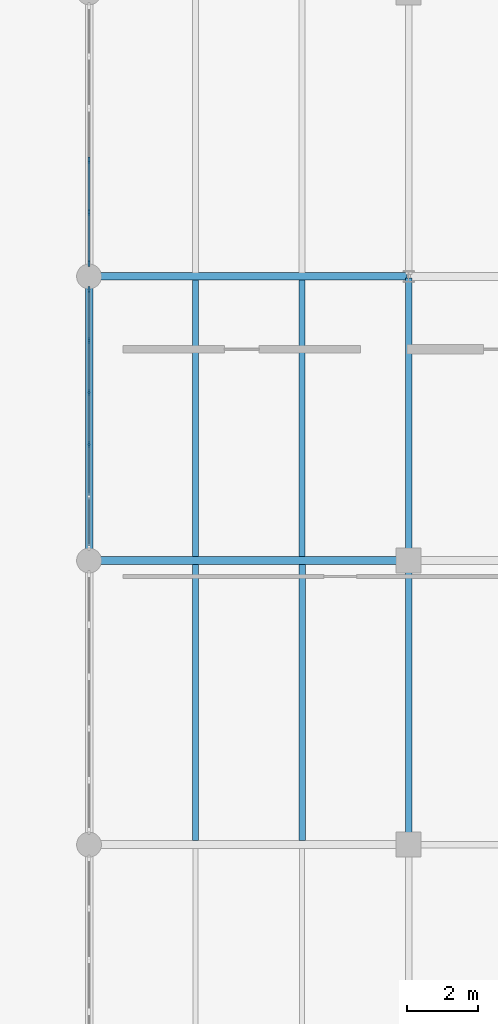
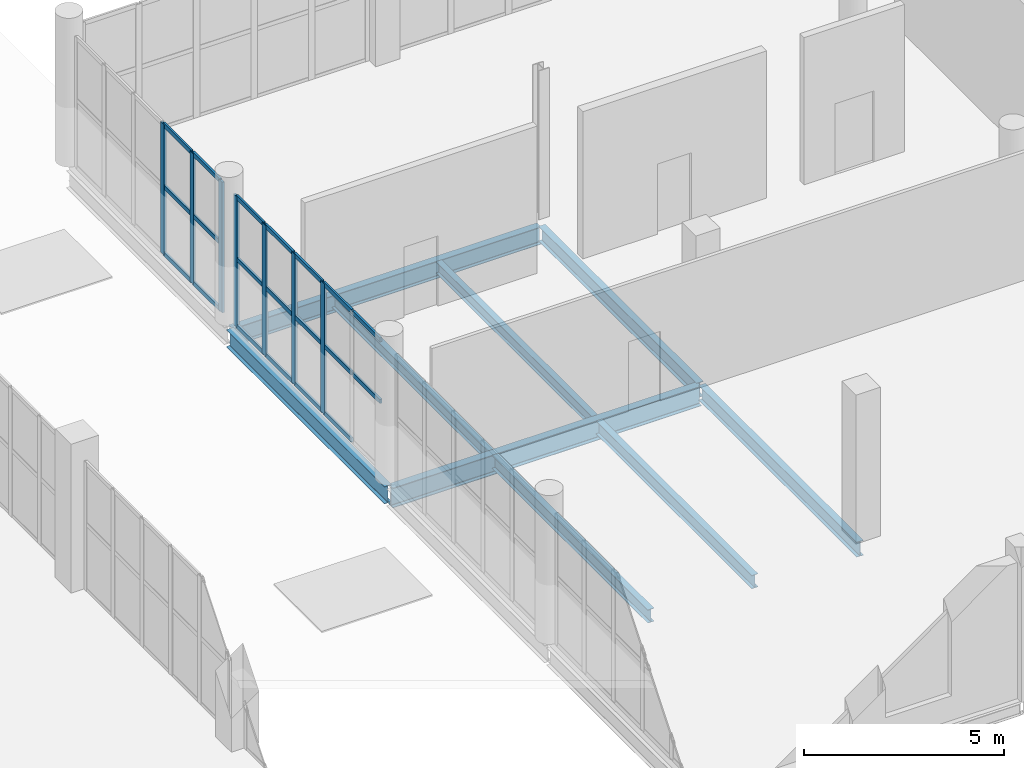
# One storey, part 33 of 93: 27 members, 9 beams, 2 elements without a shape of their own.
"""IFC4 building model written with IfcOpenShell, lengths in metres."""

from ifc_helpers import new_model, si_unit, direction, frame, origin, origin_2d, place, context, subcontext, project, spatial, rectangle, i_section, extrude, material, layer, layer_set, material_profile, profile_set, type_object, element, aggregate, save


model = new_model("IFC4")

# Units and contexts
model_context = context("Model", 3, precision=1e-05, world=origin(), true_north=direction((0.0, 1.0)))
body_context = subcontext(model_context, "Body", "Model", "MODEL_VIEW")
ifc_project = project(units=[si_unit("LENGTHUNIT", "METRE"), si_unit("AREAUNIT", "SQUARE_METRE"), si_unit("VOLUMEUNIT", "CUBIC_METRE"), si_unit("PLANEANGLEUNIT", "RADIAN"), si_unit("MASSUNIT", "GRAM", prefix="KILO")], contexts=[model_context])

# Site, building, storey
site_placement = place(None, origin())
site = spatial("IfcSite", under=ifc_project, at=site_placement, CompositionType="ELEMENT")
building_placement = place(site_placement, origin())
building = spatial("IfcBuilding", under=site, at=building_placement, Name="Marnock Terrace Opera House", CompositionType="ELEMENT")
storey_placement = place(building_placement, frame((0.0, 0.0, 5.39990234375)))
storey = spatial("IfcBuildingStorey", under=building, at=storey_placement, Name="L01", CompositionType="ELEMENT", Elevation=5.39990234375)

# Beams
ifc_material_1 = material(Name="Steel Grade 350 (AS/NZS 3679.1)", Category="steel")
ifc_material_profile_1 = material_profile(ifc_material_1, i_section(OverallWidth=0.18994140625, OverallDepth=0.45751953125, WebThickness=0.009033203125, FlangeThickness=0.014404296875, FilletRadius=0.011474609375, at=origin_2d()))
ifc_profile_set_1 = profile_set([ifc_material_profile_1], Name="Steel Grade 350 (AS/NZS 3679.1)")
beam_type_1 = type_object("IfcBeamType", Name="BM-GIRD-460B", PredefinedType="BEAM", material=ifc_profile_set_1)
for number, where, z_axis, x_axis, name in (
    (1, (127.0, 16.050048828125, -0.508544921875), (0.0, 1.0, 0.0), (-1.0, 0.0, 0.0), "L01 girder (X=127.0, 16.0..24.0)"),
    (2, (127.0, 24.050048828125, -0.508544921875), (0.0, 1.0, 0.0), (-1.0, 0.0, 0.0), "L01 girder (X=127.0, 24.0..32.0)"),
):
    element("IfcBeam", number, at=place(storey_placement, frame(where, z_axis=z_axis, x_axis=x_axis)), inside=storey, type_object=beam_type_1, Name=name, PredefinedType="BEAM", context=body_context, shape_type="SweptSolid", body=[
        extrude(i_section(OverallWidth=0.18994140625, OverallDepth=0.45751953125, WebThickness=0.009033203125, FlangeThickness=0.014404296875, FilletRadius=0.011474609375, at=origin_2d()), origin(), (0.0, 0.0, 1.0), 7.89990234375),
    ])
ifc_material_profile_2 = material_profile(ifc_material_1, i_section(OverallWidth=0.208984375, OverallDepth=0.532958984375, WebThickness=0.01025390625, FlangeThickness=0.015625, FilletRadius=0.013916015625, at=origin_2d()))
ifc_profile_set_2 = profile_set([ifc_material_profile_2], Name="Steel Grade 350 (AS/NZS 3679.1)")
beam_type_2 = type_object("IfcBeamType", Name="BM-GIRD-530A", PredefinedType="BEAM", material=ifc_profile_set_2)
beam_1_placement = place(storey_placement, frame((118.050048828125, 32.0, -0.54638671875), z_axis=(1.0, 0.0, 0.0), x_axis=(0.0, 1.0, 0.0)))
element("IfcBeam", 3, at=beam_1_placement, inside=storey, type_object=beam_type_2, Name="L01 girder (118.0..127.0, Y=32.0)", PredefinedType="BEAM", context=body_context, shape_type="SweptSolid", body=[
    extrude(i_section(OverallWidth=0.208984375, OverallDepth=0.532958984375, WebThickness=0.01025390625, FlangeThickness=0.015625, FilletRadius=0.013916015625, at=origin_2d()), origin(), (0.0, 0.0, 1.0), 8.89990234375),
])
ifc_material_profile_3 = material_profile(ifc_material_1, i_section(OverallWidth=0.208984375, OverallDepth=0.528076171875, WebThickness=0.009521484375, FlangeThickness=0.01318359375, FilletRadius=0.013916015625, at=origin_2d()))
ifc_profile_set_3 = profile_set([ifc_material_profile_3], Name="Steel Grade 350 (AS/NZS 3679.1)")
beam_type_3 = type_object("IfcBeamType", Name="BM-GIRD-530B", PredefinedType="BEAM", material=ifc_profile_set_3)
beam_2_placement = place(storey_placement, frame((118.0, 24.050048828125, -0.5439453125), z_axis=(0.0, 1.0, 0.0), x_axis=(-1.0, 0.0, 0.0)))
element("IfcBeam", 4, at=beam_2_placement, inside=storey, type_object=beam_type_3, Name="L01 girder (X=118.0, 24.0..32.0)", PredefinedType="BEAM", context=body_context, shape_type="SweptSolid", body=[
    extrude(i_section(OverallWidth=0.208984375, OverallDepth=0.528076171875, WebThickness=0.009521484375, FlangeThickness=0.01318359375, FilletRadius=0.013916015625, at=origin_2d()), origin(), (0.0, 0.0, 1.0), 7.89990234375),
])
ifc_material_profile_4 = material_profile(ifc_material_1, i_section(OverallWidth=0.22802734375, OverallDepth=0.60693359375, WebThickness=0.01123046875, FlangeThickness=0.017333984375, FilletRadius=0.013916015625, at=origin_2d()))
ifc_profile_set_4 = profile_set([ifc_material_profile_4], Name="Steel Grade 350 (AS/NZS 3679.1)")
beam_type_4 = type_object("IfcBeamType", Name="BM-GIRD-610B", PredefinedType="BEAM", material=ifc_profile_set_4)
beam_3_placement = place(storey_placement, frame((118.050048828125, 24.0, -0.58349609375), z_axis=(1.0, 0.0, 0.0), x_axis=(0.0, 1.0, 0.0)))
element("IfcBeam", 5, at=beam_3_placement, inside=storey, type_object=beam_type_4, Name="L01 girder (118.0..127.0, Y=24.0)", PredefinedType="BEAM", context=body_context, shape_type="SweptSolid", body=[
    extrude(i_section(OverallWidth=0.22802734375, OverallDepth=0.60693359375, WebThickness=0.01123046875, FlangeThickness=0.017333984375, FilletRadius=0.013916015625, at=origin_2d()), origin(), (0.0, 0.0, 1.0), 8.89990234375),
])
ifc_material_profile_5 = material_profile(ifc_material_1, i_section(OverallWidth=0.172119140625, OverallDepth=0.358642578125, WebThickness=0.008056640625, FlangeThickness=0.012939453125, FilletRadius=0.011474609375, at=origin_2d()))
ifc_profile_set_5 = profile_set([ifc_material_profile_5], Name="Steel Grade 350 (AS/NZS 3679.1)")
beam_type_5 = type_object("IfcBeamType", Name="BM-JOIST-360", PredefinedType="JOIST", material=ifc_profile_set_5)
for number, where, z_axis, x_axis, name in (
    (6, (121.0, 24.10888671875, -0.459228515625), (0.0, 1.0, 0.0), (-1.0, 0.0, 0.0), "L01 secondary joist 13.3.1"),
    (7, (124.0, 24.10888671875, -0.459228515625), (0.0, 1.0, 0.0), (-1.0, 0.0, 0.0), "L01 secondary joist 13.3.2"),
):
    element("IfcBeam", number, at=place(storey_placement, frame(where, z_axis=z_axis, x_axis=x_axis)), inside=storey, type_object=beam_type_5, Name=name, PredefinedType="JOIST", context=body_context, shape_type="SweptSolid", body=[
        extrude(i_section(OverallWidth=0.172119140625, OverallDepth=0.358642578125, WebThickness=0.008056640625, FlangeThickness=0.012939453125, FilletRadius=0.011474609375, at=origin_2d()), origin(), (0.0, 0.0, 1.0), 7.79150390625),
    ])
ifc_material_profile_6 = material_profile(ifc_material_1, i_section(OverallWidth=0.177978515625, OverallDepth=0.406494140625, WebThickness=0.0078125, FlangeThickness=0.0126953125, FilletRadius=0.011474609375, at=origin_2d()))
ifc_profile_set_6 = profile_set([ifc_material_profile_6], Name="Steel Grade 350 (AS/NZS 3679.1)")
beam_type_6 = type_object("IfcBeamType", Name="BM-JOIST-410", PredefinedType="JOIST", material=ifc_profile_set_6)
for number, where, z_axis, x_axis, name in (
    (8, (121.0, 16.109619140625, -0.483154296875), (0.0, 1.0, 0.0), (-1.0, 0.0, 0.0), "L01 secondary joist 13.2.1"),
    (9, (124.0, 16.109619140625, -0.483154296875), (0.0, 1.0, 0.0), (-1.0, 0.0, 0.0), "L01 secondary joist 13.2.2"),
):
    element("IfcBeam", number, at=place(storey_placement, frame(where, z_axis=z_axis, x_axis=x_axis)), inside=storey, type_object=beam_type_6, Name=name, PredefinedType="JOIST", context=body_context, shape_type="SweptSolid", body=[
        extrude(i_section(OverallWidth=0.177978515625, OverallDepth=0.406494140625, WebThickness=0.0078125, FlangeThickness=0.0126953125, FilletRadius=0.011474609375, at=origin_2d()), origin(), (0.0, 0.0, 1.0), 7.781494140625),
    ])

# Curtain wall, members
ifc_material_2 = material(Name="Anodised architectural bronze aluminium framing", Category="aluminium")
ifc_layer = layer(ifc_material_2, 0.159912109375)
ifc_layer_set = layer_set([ifc_layer], Name="Anodised architectural bronze aluminium framing")
curtain_wall_type = type_object("IfcCurtainWallType", Name="CW-LOGGIA-86x45", PredefinedType="NOTDEFINED", material=ifc_layer_set)
curtain_wall_1_placement = place(storey_placement, origin())
curtain_wall_1 = element("IfcCurtainWall", 10, at=curtain_wall_1_placement, inside=storey, type_object=curtain_wall_type, Name="L01 glazed Beaux-Arts colonnade curtain wall CW-V5-L01-W3", PredefinedType="NOTDEFINED")
ifc_material_profile_7 = material_profile(ifc_material_2, rectangle(XDim=0.06494140625, YDim=0.179931640625, at=origin_2d()))
ifc_profile_set_7 = profile_set([ifc_material_profile_7], Name="Anodised architectural bronze aluminium framing")
member_type_1 = type_object("IfcMemberType", Name="CWM-65x180", PredefinedType="MULLION", material=ifc_profile_set_7)
member_1_placement = place(storey_placement, frame((118.0, 27.269287109375, 0.0), z_axis=(0.0, 0.0, 1.0), x_axis=(-1.0, 0.0, 0.0)))
member_1 = element("IfcMember", 11, at=member_1_placement, type_object=member_type_1, Name="CW-61 mullion 3", PredefinedType="MULLION", context=body_context, shape_type="SweptSolid", body=[
    extrude(rectangle(XDim=0.06494140625, YDim=0.179931640625, at=origin_2d()), origin(), (0.0, 0.0, 1.0), 3.982177734375),
])
member_2_placement = place(storey_placement, frame((118.0, 28.730712890625, 0.0), z_axis=(0.0, 0.0, 1.0), x_axis=(-1.0, 0.0, 0.0)))
member_2 = element("IfcMember", 12, at=member_2_placement, type_object=member_type_1, Name="CW-61 mullion 4", PredefinedType="MULLION", context=body_context, shape_type="SweptSolid", body=[
    extrude(rectangle(XDim=0.06494140625, YDim=0.179931640625, at=origin_2d()), origin(), (0.0, 0.0, 1.0), 3.982177734375),
])
member_3_placement = place(storey_placement, frame((118.0, 30.1923828125, 0.0), z_axis=(0.0, 0.0, 1.0), x_axis=(-1.0, 0.0, 0.0)))
member_3 = element("IfcMember", 13, at=member_3_placement, type_object=member_type_1, Name="CW-61 mullion 5", PredefinedType="MULLION", context=body_context, shape_type="SweptSolid", body=[
    extrude(rectangle(XDim=0.06494140625, YDim=0.179931640625, at=origin_2d()), origin(), (0.0, 0.0, 1.0), 3.982177734375),
])
member_4_placement = place(storey_placement, frame((118.0, 31.6240234375, 0.0), z_axis=(0.0, 0.0, 1.0), x_axis=(-1.0, 0.0, 0.0)))
member_4 = element("IfcMember", 14, at=member_4_placement, type_object=member_type_1, Name="CW-61 mullion 6", PredefinedType="MULLION", context=body_context, shape_type="SweptSolid", body=[
    extrude(rectangle(XDim=0.06494140625, YDim=0.179931640625, at=origin_2d()), origin(), (0.0, 0.0, 1.0), 3.982177734375),
])

curtain_wall_2_placement = place(storey_placement, origin())
curtain_wall_2 = element("IfcCurtainWall", 15, at=curtain_wall_2_placement, inside=storey, type_object=curtain_wall_type, Name="L01 glazed Beaux-Arts colonnade curtain wall CW-V5-L01-W4", PredefinedType="NOTDEFINED")
member_5_placement = place(storey_placement, frame((118.0, 32.3759765625, 0.0), z_axis=(0.0, 0.0, 1.0), x_axis=(-1.0, 0.0, 0.0)))
member_5 = element("IfcMember", 16, at=member_5_placement, type_object=member_type_1, Name="CW-61 mullion 1", PredefinedType="MULLION", context=body_context, shape_type="SweptSolid", body=[
    extrude(rectangle(XDim=0.06494140625, YDim=0.179931640625, at=origin_2d()), origin(), (0.0, 0.0, 1.0), 3.982177734375),
])
member_6_placement = place(storey_placement, frame((118.0, 33.8076171875, 0.0), z_axis=(0.0, 0.0, 1.0), x_axis=(-1.0, 0.0, 0.0)))
member_6 = element("IfcMember", 17, at=member_6_placement, type_object=member_type_1, Name="CW-61 mullion 2", PredefinedType="MULLION", context=body_context, shape_type="SweptSolid", body=[
    extrude(rectangle(XDim=0.06494140625, YDim=0.179931640625, at=origin_2d()), origin(), (0.0, 0.0, 1.0), 3.982177734375),
])
member_7_placement = place(storey_placement, frame((118.0, 35.269287109375, 0.0), z_axis=(0.0, 0.0, 1.0), x_axis=(-1.0, 0.0, 0.0)))
member_7 = element("IfcMember", 18, at=member_7_placement, type_object=member_type_1, Name="CW-61 mullion 3", PredefinedType="MULLION", context=body_context, shape_type="SweptSolid", body=[
    extrude(rectangle(XDim=0.06494140625, YDim=0.179931640625, at=origin_2d()), origin(), (0.0, 0.0, 1.0), 3.982177734375),
])

# Member
ifc_material_profile_8 = material_profile(ifc_material_2, rectangle(XDim=0.06005859375, YDim=0.1298828125, at=origin_2d()))
ifc_profile_set_8 = profile_set([ifc_material_profile_8], Name="Anodised architectural bronze aluminium framing")
member_type_2 = type_object("IfcMemberType", Name="CWT-60x130", PredefinedType="USERDEFINED", material=ifc_profile_set_8)
member_8_placement = place(storey_placement, frame((118.0, 24.406005859375, 2.07080078125), z_axis=(0.0, 1.0, 0.0), x_axis=(-1.0, 0.0, 0.0)))
member_8 = element("IfcMember", 19, at=member_8_placement, type_object=member_type_2, Name="CW-61 transom 1.2", ObjectType="TRANSOM", PredefinedType="USERDEFINED", context=body_context, shape_type="SweptSolid", body=[
    extrude(rectangle(XDim=0.06005859375, YDim=0.1298828125, at=origin_2d()), origin(), (0.0, 0.0, 1.0), 1.37158203125),
])

member_9_placement = place(storey_placement, frame((118.0, 24.406005859375, 3.9521484375), z_axis=(0.0, 1.0, 0.0), x_axis=(-1.0, 0.0, 0.0)))
member_9 = element("IfcMember", 20, at=member_9_placement, type_object=member_type_2, Name="CW-61 transom 1.3", ObjectType="TRANSOM", PredefinedType="USERDEFINED", context=body_context, shape_type="SweptSolid", body=[
    extrude(rectangle(XDim=0.06005859375, YDim=0.1298828125, at=origin_2d()), origin(), (0.0, 0.0, 1.0), 1.37158203125),
])

member_10_placement = place(storey_placement, frame((118.0, 25.837646484375, 0.030029296875), z_axis=(0.0, 1.0, 0.0), x_axis=(-1.0, 0.0, 0.0)))
member_10 = element("IfcMember", 21, at=member_10_placement, type_object=member_type_2, Name="CW-61 transom 2.1", ObjectType="TRANSOM", PredefinedType="USERDEFINED", context=body_context, shape_type="SweptSolid", body=[
    extrude(rectangle(XDim=0.06005859375, YDim=0.1298828125, at=origin_2d()), origin(), (0.0, 0.0, 1.0), 1.401611328125),
])

member_11_placement = place(storey_placement, frame((118.0, 25.837646484375, 2.07080078125), z_axis=(0.0, 1.0, 0.0), x_axis=(-1.0, 0.0, 0.0)))
member_11 = element("IfcMember", 22, at=member_11_placement, type_object=member_type_2, Name="CW-61 transom 2.2", ObjectType="TRANSOM", PredefinedType="USERDEFINED", context=body_context, shape_type="SweptSolid", body=[
    extrude(rectangle(XDim=0.06005859375, YDim=0.1298828125, at=origin_2d()), origin(), (0.0, 0.0, 1.0), 1.401611328125),
])

member_12_placement = place(storey_placement, frame((118.0, 25.837646484375, 3.9521484375), z_axis=(0.0, 1.0, 0.0), x_axis=(-1.0, 0.0, 0.0)))
member_12 = element("IfcMember", 23, at=member_12_placement, type_object=member_type_2, Name="CW-61 transom 2.3", ObjectType="TRANSOM", PredefinedType="USERDEFINED", context=body_context, shape_type="SweptSolid", body=[
    extrude(rectangle(XDim=0.06005859375, YDim=0.1298828125, at=origin_2d()), origin(), (0.0, 0.0, 1.0), 1.401611328125),
])

member_13_placement = place(storey_placement, frame((118.0, 27.29931640625, 0.030029296875), z_axis=(0.0, 1.0, 0.0), x_axis=(-1.0, 0.0, 0.0)))
member_13 = element("IfcMember", 24, at=member_13_placement, type_object=member_type_2, Name="CW-61 transom 3.1", ObjectType="TRANSOM", PredefinedType="USERDEFINED", context=body_context, shape_type="SweptSolid", body=[
    extrude(rectangle(XDim=0.06005859375, YDim=0.1298828125, at=origin_2d()), origin(), (0.0, 0.0, 1.0), 1.4013671875),
])

member_14_placement = place(storey_placement, frame((118.0, 27.29931640625, 2.07080078125), z_axis=(0.0, 1.0, 0.0), x_axis=(-1.0, 0.0, 0.0)))
member_14 = element("IfcMember", 25, at=member_14_placement, type_object=member_type_2, Name="CW-61 transom 3.2", ObjectType="TRANSOM", PredefinedType="USERDEFINED", context=body_context, shape_type="SweptSolid", body=[
    extrude(rectangle(XDim=0.06005859375, YDim=0.1298828125, at=origin_2d()), origin(), (0.0, 0.0, 1.0), 1.4013671875),
])

member_15_placement = place(storey_placement, frame((118.0, 27.29931640625, 3.9521484375), z_axis=(0.0, 1.0, 0.0), x_axis=(-1.0, 0.0, 0.0)))
member_15 = element("IfcMember", 26, at=member_15_placement, type_object=member_type_2, Name="CW-61 transom 3.3", ObjectType="TRANSOM", PredefinedType="USERDEFINED", context=body_context, shape_type="SweptSolid", body=[
    extrude(rectangle(XDim=0.06005859375, YDim=0.1298828125, at=origin_2d()), origin(), (0.0, 0.0, 1.0), 1.4013671875),
])

member_16_placement = place(storey_placement, frame((118.0, 28.7607421875, 0.030029296875), z_axis=(0.0, 1.0, 0.0), x_axis=(-1.0, 0.0, 0.0)))
member_16 = element("IfcMember", 27, at=member_16_placement, type_object=member_type_2, Name="CW-61 transom 4.1", ObjectType="TRANSOM", PredefinedType="USERDEFINED", context=body_context, shape_type="SweptSolid", body=[
    extrude(rectangle(XDim=0.06005859375, YDim=0.1298828125, at=origin_2d()), origin(), (0.0, 0.0, 1.0), 1.401611328125),
])

member_17_placement = place(storey_placement, frame((118.0, 28.7607421875, 2.07080078125), z_axis=(0.0, 1.0, 0.0), x_axis=(-1.0, 0.0, 0.0)))
member_17 = element("IfcMember", 28, at=member_17_placement, type_object=member_type_2, Name="CW-61 transom 4.2", ObjectType="TRANSOM", PredefinedType="USERDEFINED", context=body_context, shape_type="SweptSolid", body=[
    extrude(rectangle(XDim=0.06005859375, YDim=0.1298828125, at=origin_2d()), origin(), (0.0, 0.0, 1.0), 1.401611328125),
])

member_18_placement = place(storey_placement, frame((118.0, 28.7607421875, 3.9521484375), z_axis=(0.0, 1.0, 0.0), x_axis=(-1.0, 0.0, 0.0)))
member_18 = element("IfcMember", 29, at=member_18_placement, type_object=member_type_2, Name="CW-61 transom 4.3", ObjectType="TRANSOM", PredefinedType="USERDEFINED", context=body_context, shape_type="SweptSolid", body=[
    extrude(rectangle(XDim=0.06005859375, YDim=0.1298828125, at=origin_2d()), origin(), (0.0, 0.0, 1.0), 1.401611328125),
])

member_19_placement = place(storey_placement, frame((118.0, 30.222412109375, 0.030029296875), z_axis=(0.0, 1.0, 0.0), x_axis=(-1.0, 0.0, 0.0)))
member_19 = element("IfcMember", 30, at=member_19_placement, type_object=member_type_2, Name="CW-61 transom 5.1", ObjectType="TRANSOM", PredefinedType="USERDEFINED", context=body_context, shape_type="SweptSolid", body=[
    extrude(rectangle(XDim=0.06005859375, YDim=0.1298828125, at=origin_2d()), origin(), (0.0, 0.0, 1.0), 1.37158203125),
])

member_20_placement = place(storey_placement, frame((118.0, 30.222412109375, 2.07080078125), z_axis=(0.0, 1.0, 0.0), x_axis=(-1.0, 0.0, 0.0)))
member_20 = element("IfcMember", 31, at=member_20_placement, type_object=member_type_2, Name="CW-61 transom 5.2", ObjectType="TRANSOM", PredefinedType="USERDEFINED", context=body_context, shape_type="SweptSolid", body=[
    extrude(rectangle(XDim=0.06005859375, YDim=0.1298828125, at=origin_2d()), origin(), (0.0, 0.0, 1.0), 1.37158203125),
])

member_21_placement = place(storey_placement, frame((118.0, 30.222412109375, 3.9521484375), z_axis=(0.0, 1.0, 0.0), x_axis=(-1.0, 0.0, 0.0)))
member_21 = element("IfcMember", 32, at=member_21_placement, type_object=member_type_2, Name="CW-61 transom 5.3", ObjectType="TRANSOM", PredefinedType="USERDEFINED", context=body_context, shape_type="SweptSolid", body=[
    extrude(rectangle(XDim=0.06005859375, YDim=0.1298828125, at=origin_2d()), origin(), (0.0, 0.0, 1.0), 1.37158203125),
])

aggregate(curtain_wall_1, [member_1, member_2, member_3, member_4, member_8, member_9, member_10, member_11, member_12, member_13, member_14, member_15, member_16, member_17, member_18, member_19, member_20, member_21])

member_22_placement = place(storey_placement, frame((118.0, 32.406005859375, 0.030029296875), z_axis=(0.0, 1.0, 0.0), x_axis=(-1.0, 0.0, 0.0)))
member_22 = element("IfcMember", 33, at=member_22_placement, type_object=member_type_2, Name="CW-61 transom 1.1", ObjectType="TRANSOM", PredefinedType="USERDEFINED", context=body_context, shape_type="SweptSolid", body=[
    extrude(rectangle(XDim=0.06005859375, YDim=0.1298828125, at=origin_2d()), origin(), (0.0, 0.0, 1.0), 1.37158203125),
])

member_23_placement = place(storey_placement, frame((118.0, 32.406005859375, 2.07080078125), z_axis=(0.0, 1.0, 0.0), x_axis=(-1.0, 0.0, 0.0)))
member_23 = element("IfcMember", 34, at=member_23_placement, type_object=member_type_2, Name="CW-61 transom 1.2", ObjectType="TRANSOM", PredefinedType="USERDEFINED", context=body_context, shape_type="SweptSolid", body=[
    extrude(rectangle(XDim=0.06005859375, YDim=0.1298828125, at=origin_2d()), origin(), (0.0, 0.0, 1.0), 1.37158203125),
])

member_24_placement = place(storey_placement, frame((118.0, 32.406005859375, 3.9521484375), z_axis=(0.0, 1.0, 0.0), x_axis=(-1.0, 0.0, 0.0)))
member_24 = element("IfcMember", 35, at=member_24_placement, type_object=member_type_2, Name="CW-61 transom 1.3", ObjectType="TRANSOM", PredefinedType="USERDEFINED", context=body_context, shape_type="SweptSolid", body=[
    extrude(rectangle(XDim=0.06005859375, YDim=0.1298828125, at=origin_2d()), origin(), (0.0, 0.0, 1.0), 1.37158203125),
])

member_25_placement = place(storey_placement, frame((118.0, 33.837646484375, 0.030029296875), z_axis=(0.0, 1.0, 0.0), x_axis=(-1.0, 0.0, 0.0)))
member_25 = element("IfcMember", 36, at=member_25_placement, type_object=member_type_2, Name="CW-61 transom 2.1", ObjectType="TRANSOM", PredefinedType="USERDEFINED", context=body_context, shape_type="SweptSolid", body=[
    extrude(rectangle(XDim=0.06005859375, YDim=0.1298828125, at=origin_2d()), origin(), (0.0, 0.0, 1.0), 1.401611328125),
])

member_26_placement = place(storey_placement, frame((118.0, 33.837646484375, 2.07080078125), z_axis=(0.0, 1.0, 0.0), x_axis=(-1.0, 0.0, 0.0)))
member_26 = element("IfcMember", 37, at=member_26_placement, type_object=member_type_2, Name="CW-61 transom 2.2", ObjectType="TRANSOM", PredefinedType="USERDEFINED", context=body_context, shape_type="SweptSolid", body=[
    extrude(rectangle(XDim=0.06005859375, YDim=0.1298828125, at=origin_2d()), origin(), (0.0, 0.0, 1.0), 1.401611328125),
])

member_27_placement = place(storey_placement, frame((118.0, 33.837646484375, 3.9521484375), z_axis=(0.0, 1.0, 0.0), x_axis=(-1.0, 0.0, 0.0)))
member_27 = element("IfcMember", 38, at=member_27_placement, type_object=member_type_2, Name="CW-61 transom 2.3", ObjectType="TRANSOM", PredefinedType="USERDEFINED", context=body_context, shape_type="SweptSolid", body=[
    extrude(rectangle(XDim=0.06005859375, YDim=0.1298828125, at=origin_2d()), origin(), (0.0, 0.0, 1.0), 1.401611328125),
])

aggregate(curtain_wall_2, [member_5, member_6, member_7, member_22, member_23, member_24, member_25, member_26, member_27])

save(model, "model.ifc")
